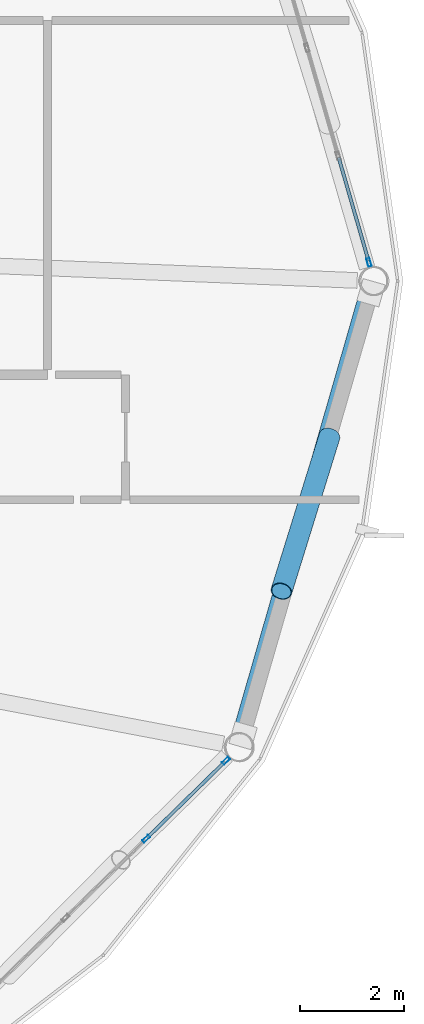
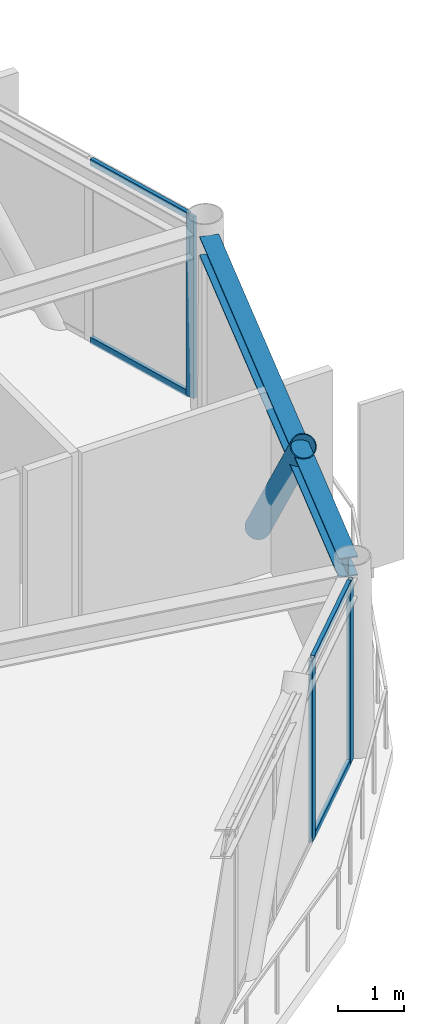
# One storey, part 15 of 25: 8 members, 1 beam, 2 elements without a shape of their own.
"""IFC4 building model written with IfcOpenShell, lengths in metres."""

from ifc_helpers import new_model, si_unit, direction, frame, origin, origin_2d, place, context, subcontext, project, spatial, hollow_rectangle, hollow_circle, i_section, extrude, material, layer, layer_set, material_profile, profile_set, type_object, element, aggregate, save


model = new_model("IFC4")

# Units and contexts
model_context = context("Model", 3, precision=1e-05, world=origin(), true_north=direction((0.0, 1.0)))
body_context = subcontext(model_context, "Body", "Model", "MODEL_VIEW")
ifc_project = project(units=[si_unit("LENGTHUNIT", "METRE"), si_unit("AREAUNIT", "SQUARE_METRE"), si_unit("VOLUMEUNIT", "CUBIC_METRE"), si_unit("PLANEANGLEUNIT", "RADIAN"), si_unit("MASSUNIT", "GRAM", prefix="KILO")], contexts=[model_context])

# Site, building, storey
site_placement = place(None, origin())
site = spatial("IfcSite", under=ifc_project, at=site_placement, CompositionType="ELEMENT")
building_placement = place(site_placement, origin())
building = spatial("IfcBuilding", under=site, at=building_placement, Name="Varnakorn Sky Granary", CompositionType="ELEMENT")
storey_placement = place(building_placement, frame((0.0, 0.0, 252.60009765625)))
storey = spatial("IfcBuildingStorey", under=building, at=storey_placement, Name="L64", CompositionType="ELEMENT", Elevation=252.60009765625)

# Beam
ifc_material_1 = material(Name="Steel S355JR", Category="steel")
ifc_material_profile_1 = material_profile(ifc_material_1, i_section(OverallWidth=0.300048828125, OverallDepth=0.360107421875, WebThickness=0.012451171875, FlangeThickness=0.0224609375, at=origin_2d()), Name="HE 360 B")
ifc_profile_set_1 = profile_set([ifc_material_profile_1], Name="Steel S355JR")
beam_type = type_object("IfcBeamType", Name="BM-SPD-Z5", PredefinedType="SPANDREL", material=ifc_profile_set_1)
beam_placement = place(storey_placement, frame((20.70654296875, -8.680908203125, 3.179931640625), z_axis=(0.277095414321, 0.960842407142, 0.0), x_axis=(-0.960842407142, 0.277095414321, 0.0)))
element("IfcBeam", 1, at=beam_placement, inside=storey, type_object=beam_type, Name="Perimeter Spandrel Ring Beam RB12 L64", PredefinedType="SPANDREL", context=body_context, shape_type="SweptSolid", body=[
    extrude(i_section(OverallWidth=0.300048828125, OverallDepth=0.360107421875, WebThickness=0.012451171875, FlangeThickness=0.0224609375, at=origin_2d()), origin(), (0.0, 0.0, 1.0), 8.770263671875),
])

# Curtain wall, member
ifc_material_2 = material(Name="Anodised Bronze Aluminium Alloy 6063-T6", Category="aluminium")
ifc_layer = layer(ifc_material_2, 0.159912109375, Name="Anodised Bronze Aluminium Alloy 6063-T6")
ifc_layer_set = layer_set([ifc_layer], Name="Anodised Bronze Aluminium Alloy 6063-T6")
curtain_wall_type = type_object("IfcCurtainWallType", Name="CW-OFF-1", PredefinedType="USERDEFINED", material=ifc_layer_set)
curtain_wall_1_placement = place(storey_placement, origin())
curtain_wall_1 = element("IfcCurtainWall", 2, at=curtain_wall_1_placement, inside=storey, type_object=curtain_wall_type, Name="Unitised Curtain Wall CW6 CW-L64-B01", ObjectType="CURTAIN WALL", PredefinedType="USERDEFINED")
ifc_material_profile_2 = material_profile(ifc_material_2, hollow_rectangle(XDim=0.06494140625, YDim=0.159912109375, WallThickness=0.00341796875, at=origin_2d()), Name="ALU MULL 65x160")
ifc_profile_set_2 = profile_set([ifc_material_profile_2], Name="Anodised Bronze Aluminium Alloy 6063-T6")
member_type_1 = type_object("IfcMemberType", Name="CW-OFF-1-MULL", PredefinedType="MULLION", material=ifc_profile_set_2)
member_1_placement = place(storey_placement, frame((23.173828125, 0.357421875, 0.0), z_axis=(0.0, 0.0, 1.0), x_axis=(0.960725361921, 0.277500953082, 0.0)))
member_1 = element("IfcMember", 3, at=member_1_placement, type_object=member_type_1, Name="CW6 mullion 5", PredefinedType="MULLION", context=body_context, shape_type="SweptSolid", body=[
    extrude(hollow_rectangle(XDim=0.06494140625, YDim=0.159912109375, WallThickness=0.00341796875, at=origin_2d()), origin(), (0.0, 0.0, 1.0), 3.35986328125),
])

# Curtain wall, members
curtain_wall_2_placement = place(storey_placement, origin())
curtain_wall_2 = element("IfcCurtainWall", 4, at=curtain_wall_2_placement, inside=storey, type_object=curtain_wall_type, Name="Unitised Curtain Wall CW6 CW-L64-B11", ObjectType="CURTAIN WALL", PredefinedType="USERDEFINED")
member_2_placement = place(storey_placement, frame((20.425537109375, -9.212158203125, 0.0), z_axis=(0.0, 0.0, 1.0), x_axis=(0.699482431072, -0.71464979439, 0.0)))
member_2 = element("IfcMember", 5, at=member_2_placement, type_object=member_type_1, Name="CW6 mullion 1", PredefinedType="MULLION", context=body_context, shape_type="SweptSolid", body=[
    extrude(hollow_rectangle(XDim=0.06494140625, YDim=0.159912109375, WallThickness=0.00341796875, at=origin_2d()), origin(), (0.0, 0.0, 1.0), 3.35986328125),
])
member_3_placement = place(storey_placement, frame((18.896240234375, -10.708984375, 0.0), z_axis=(0.0, 0.0, 1.0), x_axis=(0.699482431072, -0.71464979439, 0.0)))
member_3 = element("IfcMember", 6, at=member_3_placement, type_object=member_type_1, Name="CW6 mullion 2", PredefinedType="MULLION", context=body_context, shape_type="SweptSolid", body=[
    extrude(hollow_rectangle(XDim=0.06494140625, YDim=0.159912109375, WallThickness=0.00341796875, at=origin_2d()), origin(), (0.0, 0.0, 1.0), 3.35986328125),
])

# Member
ifc_material_profile_3 = material_profile(ifc_material_2, hollow_rectangle(XDim=0.06494140625, YDim=0.1201171875, WallThickness=0.00341796875, at=origin_2d()), Name="ALU TRAN 65x120")
ifc_profile_set_3 = profile_set([ifc_material_profile_3], Name="Anodised Bronze Aluminium Alloy 6063-T6")
member_type_2 = type_object("IfcMemberType", Name="CW-OFF-1-TRAN", PredefinedType="USERDEFINED", material=ifc_profile_set_3)
member_4_placement = place(storey_placement, frame((22.592529296875, 2.369873046875, 0.032470703125), z_axis=(0.277503229464, -0.960724704396, 0.0), x_axis=(0.960724704396, 0.277503229464, 0.0)))
member_4 = element("IfcMember", 7, at=member_4_placement, type_object=member_type_2, Name="CW6 transom 4.1", ObjectType="TRANSOM", PredefinedType="USERDEFINED", context=body_context, shape_type="SweptSolid", body=[
    extrude(hollow_rectangle(XDim=0.06494140625, YDim=0.1201171875, WallThickness=0.00341796875, at=origin_2d()), origin(), (0.0, 0.0, 1.0), 2.062255859375),
])

member_5_placement = place(storey_placement, frame((22.592529296875, 2.369873046875, 3.327392578125), z_axis=(0.277503229464, -0.960724704396, 0.0), x_axis=(0.960724704396, 0.277503229464, 0.0)))
member_5 = element("IfcMember", 8, at=member_5_placement, type_object=member_type_2, Name="CW6 transom 4.2", ObjectType="TRANSOM", PredefinedType="USERDEFINED", context=body_context, shape_type="SweptSolid", body=[
    extrude(hollow_rectangle(XDim=0.06494140625, YDim=0.1201171875, WallThickness=0.00341796875, at=origin_2d()), origin(), (0.0, 0.0, 1.0), 2.062255859375),
])

aggregate(curtain_wall_1, [member_1, member_4, member_5])

member_6_placement = place(storey_placement, frame((20.40234375, -9.23486328125, 0.032470703125), z_axis=(-0.714655000543, -0.69947711199, 0.0), x_axis=(0.69947711199, -0.714655000543, 0.0)))
member_6 = element("IfcMember", 9, at=member_6_placement, type_object=member_type_2, Name="CW6 transom 1.1", ObjectType="TRANSOM", PredefinedType="USERDEFINED", context=body_context, shape_type="SweptSolid", body=[
    extrude(hollow_rectangle(XDim=0.06494140625, YDim=0.1201171875, WallThickness=0.00341796875, at=origin_2d()), origin(), (0.0, 0.0, 1.0), 2.074951171875),
])

member_7_placement = place(storey_placement, frame((20.40234375, -9.23486328125, 3.327392578125), z_axis=(-0.714655000543, -0.69947711199, 0.0), x_axis=(0.69947711199, -0.714655000543, 0.0)))
member_7 = element("IfcMember", 10, at=member_7_placement, type_object=member_type_2, Name="CW6 transom 1.2", ObjectType="TRANSOM", PredefinedType="USERDEFINED", context=body_context, shape_type="SweptSolid", body=[
    extrude(hollow_rectangle(XDim=0.06494140625, YDim=0.1201171875, WallThickness=0.00341796875, at=origin_2d()), origin(), (0.0, 0.0, 1.0), 2.074951171875),
])

aggregate(curtain_wall_2, [member_2, member_3, member_6, member_7])

ifc_material_3 = material(Name="Steel S460M", Category="steel")
ifc_material_profile_4 = material_profile(ifc_material_3, hollow_circle(Radius=0.203125, WallThickness=0.01611328125, at=origin_2d()), Name="CHS 406.4x16")
ifc_profile_set_4 = profile_set([ifc_material_profile_4], Name="Steel S460M")
member_type_3 = type_object("IfcMemberType", Name="MB-DIAG-T4", PredefinedType="BRACE", material=ifc_profile_set_4)
member_8_placement = place(storey_placement, frame((22.4150390625, -2.98388671875, -0.130126953125), z_axis=(-0.193291016837, -0.62267320424, 0.758232591974), x_axis=(0.955043463646, -0.296465820201, 0.0)))
element("IfcMember", 11, at=member_8_placement, inside=storey, type_object=member_type_3, Name="Perimeter CHS Diagrid Brace DG12 L64", PredefinedType="BRACE", context=body_context, shape_type="SweptSolid", body=[
    extrude(hollow_circle(Radius=0.203125, WallThickness=0.01611328125, at=origin_2d()), origin(), (0.0, 0.0, 1.0), 4.7744140625),
])

save(model, "model.ifc")
